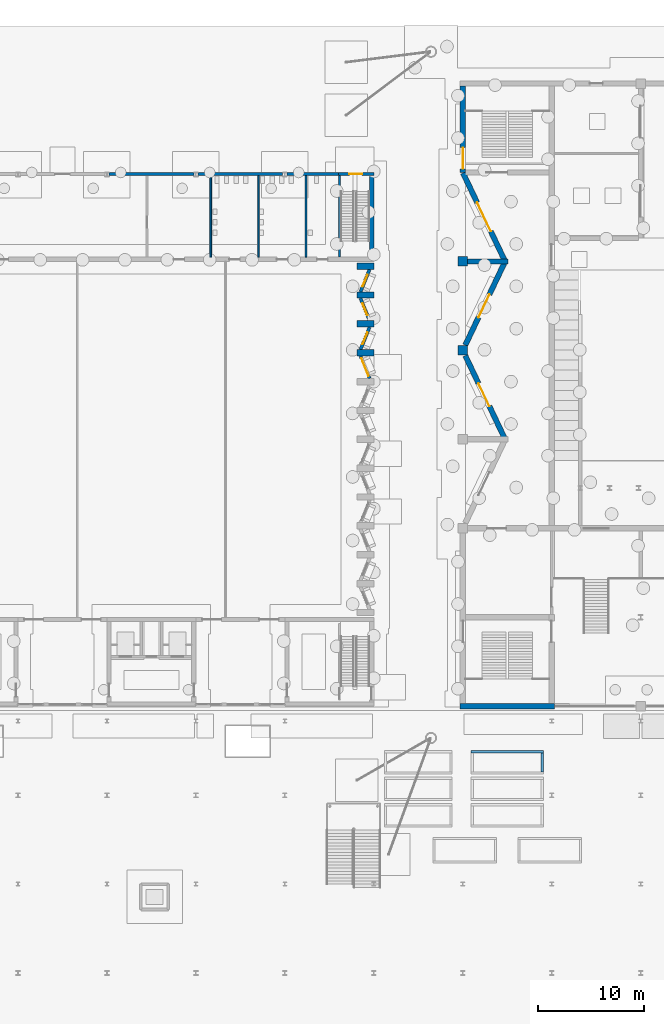
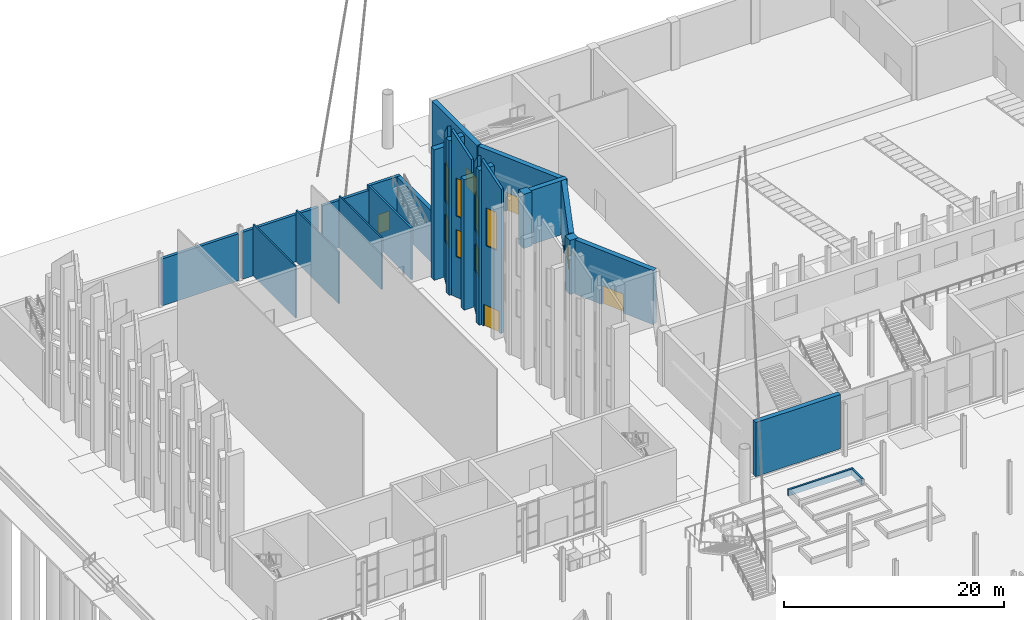
# One storey, part 65 of 108: 27 walls, 7 windows, 6 doors, 13 openings.
"""IFC4 building model written with IfcOpenShell, lengths in metres."""

from ifc_helpers import new_model, si_unit, direction, frame, frame_2d, origin, place, context, subcontext, project, spatial, polyline, rectangle, outline, extrude, material, layer, layer_set, type_object, element, fill, save


model = new_model("IFC4")

# Units and contexts
model_context = context("Model", 3, precision=1e-05, world=origin(), true_north=direction((0.0, 1.0)))
body_context = subcontext(model_context, "Body", "Model", "MODEL_VIEW")
ifc_project = project(units=[si_unit("LENGTHUNIT", "METRE"), si_unit("AREAUNIT", "SQUARE_METRE"), si_unit("VOLUMEUNIT", "CUBIC_METRE"), si_unit("PLANEANGLEUNIT", "RADIAN"), si_unit("MASSUNIT", "GRAM", prefix="KILO")], contexts=[model_context])

# Site, building, storey
site_placement = place(None, origin())
site = spatial("IfcSite", under=ifc_project, at=site_placement, CompositionType="ELEMENT")
building_placement = place(site_placement, origin())
building = spatial("IfcBuilding", under=site, at=building_placement, Name="Cresset Court Congress Hotel", CompositionType="ELEMENT")
storey_placement = place(building_placement, origin())
storey = spatial("IfcBuildingStorey", under=building, at=storey_placement, Name="L00", CompositionType="ELEMENT", Elevation=0.0)

# Walls
ifc_material_1 = material(Name="Gypsum board on steel studs", Category="steel")
ifc_layer_1 = layer(ifc_material_1, 0.14990234375)
ifc_layer_set_1 = layer_set([ifc_layer_1], Name="Fire partition 150")
wall_type_1 = type_object("IfcWallType", Name="Fire partition 150", PredefinedType="PARTITIONING", material=ifc_layer_set_1)
for number, where, z_axis, x_axis, name in (
    (1, (35.0, 101.199951171875, 0.0), (0.0, 0.0, 1.0), (0.0, 1.0, 0.0), "Partition 35"),
    (2, (39.5, 101.199951171875, 0.0), (0.0, 0.0, 1.0), (0.0, 1.0, 0.0), "Partition 39.5"),
    (3, (44.0, 101.199951171875, 0.0), (0.0, 0.0, 1.0), (0.0, 1.0, 0.0), "Partition 44"),
):
    element("IfcWall", number, at=place(storey_placement, frame(where, z_axis=z_axis, x_axis=x_axis)), inside=storey, type_object=wall_type_1, Name=name, PredefinedType="PARTITIONING", context=body_context, shape_type="SweptSolid", body=[
        extrude(rectangle(XDim=7.699951171875, YDim=0.14990234375, at=frame_2d((3.85009765625, 0.0))), origin(), (0.0, 0.0, 1.0), 5.719970703125),
    ])
ifc_material_2 = material(Name="Limestone-faced precast concrete C50", Category="masonry")
ifc_layer_2 = layer(ifc_material_2, 0.5)
ifc_layer_set_2 = layer_set([ifc_layer_2], Name="Hall perimeter wall 500")
wall_type_2 = type_object("IfcWallType", Name="Hall perimeter wall 500", PredefinedType="SOLIDWALL", material=ifc_layer_set_2)
wall_1_placement = place(storey_placement, frame((67.449951171875, 58.800048828125, 0.0), z_axis=(0.0, 0.0, 1.0), x_axis=(-1.0, 0.0, 0.0)))
element("IfcWall", 4, at=wall_1_placement, inside=storey, type_object=wall_type_2, Name="Wall CW-SL00-1", PredefinedType="SOLIDWALL", context=body_context, shape_type="SweptSolid", body=[
    extrude(rectangle(XDim=8.89990234375, YDim=0.5, at=frame_2d((4.449951171875, 0.0))), origin(), (0.0, 0.0, 1.0), 6.0),
])

# Wall, opening, door
wall_2_placement = place(storey_placement, frame((58.800048828125, 109.199951171875, 0.0), z_axis=(0.0, 0.0, 1.0), x_axis=(0.0, 1.0, 0.0)))
wall_2 = element("IfcWall", 5, at=wall_2_placement, inside=storey, type_object=wall_type_2, Name="Wall CW-WL00-1.1", PredefinedType="SOLIDWALL", context=body_context, shape_type="SweptSolid", body=[
    extrude(rectangle(XDim=8.150146484375, YDim=0.5, at=frame_2d((4.0751953125, 0.0))), origin(), (0.0, 0.0, 1.0), 6.0),
])
opening_1_placement = place(wall_2_placement, frame((0.35009765625, 0.0, 0.0)))
opening_1 = element("IfcOpeningElement", 6, at=opening_1_placement, cuts=wall_2, Name="Opening DC-00-12A", PredefinedType="OPENING", context=body_context, shape_type="SweptSolid", body=[
    extrude(rectangle(XDim=2.0, YDim=2.10009765625, at=frame_2d((1.0, 1.050048828125))), frame((0.0, 0.260009765625, 0.0), z_axis=(0.0, -1.0, 0.0), x_axis=(1.0, 0.0, 0.0)), (0.0, 0.0, 1.0), 0.52001953125),
])
ifc_material_3 = material(Name="Timber", Category="wood")
door_type_1 = type_object("IfcDoorType", Name="Double swing door 2000x2100 FD60 external", OperationType="DOUBLE_DOOR_DOUBLE_SWING", PredefinedType="DOOR", material=ifc_material_3)
door_1_placement = place(opening_1_placement, origin())
door_1 = element("IfcDoor", 7, at=door_1_placement, inside=storey, type_object=door_type_1, Name="Stair exit door ST-C3", OperationType="DOUBLE_DOOR_DOUBLE_SWING", OverallHeight=2.10009765625, OverallWidth=2.0, PredefinedType="DOOR", context=body_context, shape_type="SweptSolid", body=[
    extrude(rectangle(XDim=2.0, YDim=2.10009765625, at=frame_2d((1.0, 1.050048828125))), frame((0.0, 0.02490234375, 0.0), z_axis=(0.0, -1.0, 0.0), x_axis=(1.0, 0.0, 0.0)), (0.0, 0.0, 1.0), 0.050048828125),
])
fill(opening_1, door_1)

wall_3_placement = place(storey_placement, frame((62.734619140625, 100.9375, 0.0), z_axis=(0.0, 0.0, 1.0), x_axis=(-0.429953375566, 0.902851092284, 0.0)))
wall_3 = element("IfcWall", 8, at=wall_3_placement, inside=storey, type_object=wall_type_2, Name="Wall CW-WL00-1.2", PredefinedType="SOLIDWALL", context=body_context, shape_type="SweptSolid", body=[
    extrude(rectangle(XDim=9.09619140625, YDim=0.5, at=frame_2d((4.548095703125, 0.0))), origin(), (0.0, 0.0, 1.0), 6.0),
])
opening_2_placement = place(wall_3_placement, frame((2.99951171875, 0.0, 0.0)))
opening_2 = element("IfcOpeningElement", 9, at=opening_2_placement, cuts=wall_3, Name="Opening DC-00-36", PredefinedType="OPENING", context=body_context, shape_type="SweptSolid", body=[
    extrude(rectangle(XDim=3.0, YDim=2.10009765625, at=frame_2d((1.5, 1.050048828125))), frame((0.0, 0.260009765625, 0.0), z_axis=(0.0, -1.0, 0.0), x_axis=(1.0, 0.0, 0.0)), (0.0, 0.0, 1.0), 0.52001953125),
])
ifc_material_4 = material(Name="Timber", Category="wood")
door_type_2 = type_object("IfcDoorType", Name="Double swing door 3000x2100 FD30", OperationType="DOUBLE_DOOR_DOUBLE_SWING", PredefinedType="DOOR", material=ifc_material_4)
door_2_placement = place(opening_2_placement, origin())
door_2 = element("IfcDoor", 10, at=door_2_placement, inside=storey, type_object=door_type_2, Name="Hall exit door W4", OperationType="DOUBLE_DOOR_DOUBLE_SWING", OverallHeight=2.10009765625, OverallWidth=3.0, PredefinedType="DOOR", context=body_context, shape_type="SweptSolid", body=[
    extrude(rectangle(XDim=3.0, YDim=2.10009765625, at=frame_2d((1.5, 1.050048828125))), frame((0.0, 0.02490234375, 0.0), z_axis=(0.0, -1.0, 0.0), x_axis=(1.0, 0.0, 0.0)), (0.0, 0.0, 1.0), 0.050048828125),
])
fill(opening_2, door_2)

wall_4_placement = place(storey_placement, frame((59.0380859375, 92.89990234375, 0.0), z_axis=(0.0, 0.0, 1.0), x_axis=(0.429934682616, 0.902859993955, 0.0)))
wall_4 = element("IfcWall", 11, at=wall_4_placement, inside=storey, type_object=wall_type_2, Name="Wall CW-WL00-2", PredefinedType="SOLIDWALL", context=body_context, shape_type="SweptSolid", body=[
    extrude(rectangle(XDim=8.597900390625, YDim=0.5, at=frame_2d((4.298828125, 0.0))), origin(), (0.0, 0.0, 1.0), 6.0),
])
opening_3_placement = place(wall_4_placement, frame((2.898193359375, 0.0, 0.0)))
opening_3 = element("IfcOpeningElement", 12, at=opening_3_placement, cuts=wall_4, Name="Opening DC-00-32A", PredefinedType="OPENING", context=body_context, shape_type="SweptSolid", body=[
    extrude(rectangle(XDim=2.39990234375, YDim=2.10009765625, at=frame_2d((1.199951171875, 1.050048828125))), frame((0.0, 0.260009765625, 0.0), z_axis=(0.0, -1.0, 0.0), x_axis=(1.0, 0.0, 0.0)), (0.0, 0.0, 1.0), 0.52001953125),
])
ifc_material_5 = material(Name="Timber", Category="wood")
door_type_3 = type_object("IfcDoorType", Name="Double swing door 2400x2100 FD30 external", OperationType="DOUBLE_DOOR_DOUBLE_SWING", PredefinedType="DOOR", material=ifc_material_5)
door_3_placement = place(opening_3_placement, origin())
door_3 = element("IfcDoor", 13, at=door_3_placement, inside=storey, type_object=door_type_3, Name="Hall exit door W3", OperationType="DOUBLE_DOOR_DOUBLE_SWING", OverallHeight=2.10009765625, OverallWidth=2.39990234375, PredefinedType="DOOR", context=body_context, shape_type="SweptSolid", body=[
    extrude(rectangle(XDim=2.39990234375, YDim=2.10009765625, at=frame_2d((1.199951171875, 1.050048828125))), frame((0.0, 0.02490234375, 0.0), z_axis=(0.0, -1.0, 0.0), x_axis=(1.0, 0.0, 0.0)), (0.0, 0.0, 1.0), 0.050048828125),
])
fill(opening_3, door_3)

wall_5_placement = place(storey_placement, frame((62.734619140625, 84.137451171875, 0.0), z_axis=(0.0, 0.0, 1.0), x_axis=(-0.429945705131, 0.902854745039, 0.0)))
wall_5 = element("IfcWall", 14, at=wall_5_placement, inside=storey, type_object=wall_type_2, Name="Wall CW-WL00-3", PredefinedType="SOLIDWALL", context=body_context, shape_type="SweptSolid", body=[
    extrude(rectangle(XDim=8.59765625, YDim=0.5, at=frame_2d((4.298828125, 0.0))), origin(), (0.0, 0.0, 1.0), 6.0),
])
opening_4_placement = place(wall_5_placement, frame((3.299560546875, 0.0, 0.0)))
opening_4 = element("IfcOpeningElement", 15, at=opening_4_placement, cuts=wall_5, Name="Opening DC-00-31A", PredefinedType="OPENING", context=body_context, shape_type="SweptSolid", body=[
    extrude(rectangle(XDim=2.39990234375, YDim=2.10009765625, at=frame_2d((1.199951171875, 1.050048828125))), frame((0.0, 0.260009765625, 0.0), z_axis=(0.0, -1.0, 0.0), x_axis=(1.0, 0.0, 0.0)), (0.0, 0.0, 1.0), 0.52001953125),
])
door_4_placement = place(opening_4_placement, origin())
door_4 = element("IfcDoor", 16, at=door_4_placement, inside=storey, type_object=door_type_3, Name="Hall exit door W2", OperationType="DOUBLE_DOOR_DOUBLE_SWING", OverallHeight=2.10009765625, OverallWidth=2.39990234375, PredefinedType="DOOR", context=body_context, shape_type="SweptSolid", body=[
    extrude(rectangle(XDim=2.39990234375, YDim=2.10009765625, at=frame_2d((1.199951171875, 1.050048828125))), frame((0.0, 0.02490234375, 0.0), z_axis=(0.0, -1.0, 0.0), x_axis=(1.0, 0.0, 0.0)), (0.0, 0.0, 1.0), 0.050048828125),
])
fill(opening_4, door_4)

# Walls
wall_6_placement = place(storey_placement, frame((63.050048828125, 100.800048828125, 0.0), z_axis=(0.0, 0.0, 1.0), x_axis=(-1.0, 0.0, 0.0)))
element("IfcWall", 17, at=wall_6_placement, inside=storey, type_object=wall_type_2, Name="Wall CW-WL00-R1", PredefinedType="SOLIDWALL", context=body_context, shape_type="SweptSolid", body=[
    extrude(rectangle(XDim=3.800048828125, YDim=0.5, at=frame_2d((1.89990234375, 0.0))), origin(), (0.0, 0.0, 1.0), 6.0),
])
ifc_material_6 = material(Name="Concrete C50", Category="concrete")
ifc_layer_3 = layer(ifc_material_6, 0.89990234375)
ifc_layer_set_3 = layer_set([ifc_layer_3], Name="Hall pilaster 900x900")
wall_type_3 = type_object("IfcWallType", Name="Hall pilaster 900x900", PredefinedType="SOLIDWALL", material=ifc_layer_set_3)
wall_7_placement = place(storey_placement, frame((58.800048828125, 101.25, 0.0), z_axis=(0.0, 0.0, 1.0), x_axis=(0.0, -1.0, 0.0)))
element("IfcWall", 18, at=wall_7_placement, inside=storey, type_object=wall_type_3, Name="Pilaster P-W1", PredefinedType="SOLIDWALL", context=body_context, shape_type="SweptSolid", body=[
    extrude(rectangle(XDim=0.89990234375, YDim=0.89990234375, at=frame_2d((0.449951171875, 0.0))), origin(), (0.0, 0.0, 1.0), 6.0),
])
wall_8_placement = place(storey_placement, frame((58.800048828125, 92.85009765625, 0.0), z_axis=(0.0, 0.0, 1.0), x_axis=(0.0, -1.0, 0.0)))
element("IfcWall", 19, at=wall_8_placement, inside=storey, type_object=wall_type_3, Name="Pilaster P-W2", PredefinedType="SOLIDWALL", context=body_context, shape_type="SweptSolid", body=[
    extrude(rectangle(XDim=0.900146484375, YDim=0.89990234375, at=frame_2d((0.4501953125, 0.0))), origin(), (0.0, 0.0, 1.0), 6.0),
])
ifc_material_7 = material(Name="Concrete C35", Category="concrete")
ifc_layer_4 = layer(ifc_material_7, 0.199951171875)
ifc_layer_set_4 = layer_set([ifc_layer_4], Name="Planter wall 200")
wall_type_4 = type_object("IfcWallType", Name="Planter wall 200", PredefinedType="SOLIDWALL", material=ifc_layer_set_4)
wall_9_placement = place(storey_placement, frame((59.60009765625, 54.5, 0.0), z_axis=(0.0, 0.0, 1.0), x_axis=(1.0, 0.0, 0.0)))
element("IfcWall", 20, at=wall_9_placement, inside=storey, type_object=wall_type_4, Name="Terrace planter wall 06", PredefinedType="SOLIDWALL", context=body_context, shape_type="SweptSolid", body=[
    extrude(rectangle(XDim=6.7998046875, YDim=0.199951171875, at=frame_2d((3.39990234375, 0.0))), origin(), (0.0, 0.0, 1.0), 0.699951171875),
])
wall_10_placement = place(storey_placement, frame((66.300048828125, 52.60009765625, 0.0), z_axis=(0.0, 0.0, 1.0), x_axis=(0.0, 1.0, 0.0)))
element("IfcWall", 21, at=wall_10_placement, inside=storey, type_object=wall_type_4, Name="Terrace planter wall 06", PredefinedType="SOLIDWALL", context=body_context, shape_type="SweptSolid", body=[
    extrude(rectangle(XDim=1.7998046875, YDim=0.199951171875, at=frame_2d((0.89990234375, 0.0))), origin(), (0.0, 0.0, 1.0), 0.699951171875),
])
ifc_material_8 = material(Name="Precast concrete C50", Category="concrete")
ifc_layer_5 = layer(ifc_material_8, 0.300048828125)
ifc_layer_set_5 = layer_set([ifc_layer_5], Name="Precast external wall 300 C50")
wall_type_5 = type_object("IfcWallType", Name="Precast external wall 300 C50", PredefinedType="SOLIDWALL", material=ifc_layer_set_5)
for number, where, z_axis, x_axis, name in (
    (22, (25.39990234375, 109.050048828125, 0.0), (0.0, 0.0, 1.0), (1.0, 0.0, 0.0), "North external wall L00 4"),
    (23, (33.800048828125, 109.050048828125, 0.0), (0.0, 0.0, 1.0), (1.0, 0.0, 0.0), "North external wall L00 5"),
):
    element("IfcWall", number, at=place(storey_placement, frame(where, z_axis=z_axis, x_axis=x_axis)), inside=storey, type_object=wall_type_5, Name=name, PredefinedType="SOLIDWALL", context=body_context, shape_type="SweptSolid", body=[
        extrude(rectangle(XDim=8.0, YDim=0.300048828125, at=frame_2d((4.0, 0.0))), origin(), (0.0, 0.0, 1.0), 5.219970703125),
    ])
wall_11_placement = place(storey_placement, frame((42.199951171875, 109.050048828125, 0.0), z_axis=(0.0, 0.0, 1.0), x_axis=(1.0, 0.0, 0.0)))
element("IfcWall", 24, at=wall_11_placement, inside=storey, type_object=wall_type_5, Name="North external wall L00 6", PredefinedType="SOLIDWALL", context=body_context, shape_type="SweptSolid", body=[
    extrude(rectangle(XDim=4.85009765625, YDim=0.300048828125, at=frame_2d((2.425048828125, 0.0))), origin(), (0.0, 0.0, 1.0), 5.219970703125),
])

# Wall, opening, door
wall_12_placement = place(storey_placement, frame((47.050048828125, 109.050048828125, 0.0), z_axis=(0.0, 0.0, 1.0), x_axis=(1.0, 0.0, 0.0)))
wall_12 = element("IfcWall", 25, at=wall_12_placement, inside=storey, type_object=wall_type_5, Name="North external wall L00 7", PredefinedType="SOLIDWALL", context=body_context, shape_type="SweptSolid", body=[
    extrude(rectangle(XDim=3.349853515625, YDim=0.300048828125, at=frame_2d((1.6748046875, 0.0))), origin(), (0.0, 0.0, 1.0), 5.719970703125),
])
opening_5_placement = place(wall_12_placement, frame((1.050048828125, 0.0, 0.0)))
opening_5 = element("IfcOpeningElement", 26, at=opening_5_placement, cuts=wall_12, Name="Opening DD-00-05", PredefinedType="OPENING", context=body_context, shape_type="SweptSolid", body=[
    extrude(rectangle(XDim=1.199951171875, YDim=2.10009765625, at=frame_2d((0.60009765625, 1.050048828125))), frame((0.0, 0.159912109375, 0.0), z_axis=(0.0, -1.0, 0.0), x_axis=(1.0, 0.0, 0.0)), (0.0, 0.0, 1.0), 0.320068359375),
])
ifc_material_9 = material(Name="Timber door leaf", Category="wood")
door_type_4 = type_object("IfcDoorType", Name="Exit door 1200x2100", OperationType="SINGLE_SWING_LEFT", PredefinedType="DOOR", material=ifc_material_9)
door_5_placement = place(opening_5_placement, origin())
door_5 = element("IfcDoor", 27, at=door_5_placement, inside=storey, type_object=door_type_4, Name="Exit door DD-00-05", OperationType="SINGLE_SWING_LEFT", OverallHeight=2.10009765625, OverallWidth=1.199951171875, PredefinedType="DOOR", context=body_context, shape_type="SweptSolid", body=[
    extrude(rectangle(XDim=1.199951171875, YDim=2.10009765625, at=frame_2d((0.60009765625, 1.050048828125))), frame((0.0, 0.02490234375, 0.0), z_axis=(0.0, -1.0, 0.0), x_axis=(1.0, 0.0, 0.0)), (0.0, 0.0, 1.0), 0.050048828125),
])
fill(opening_5, door_5)

# Wall, openings, door, window
ifc_material_10 = material(Name="Limestone-faced precast concrete C50", Category="masonry")
ifc_layer_6 = layer(ifc_material_10, 0.300048828125)
ifc_layer_set_6 = layer_set([ifc_layer_6], Name="Precast folded wall panel 300 C50")
wall_type_6 = type_object("IfcWallType", Name="Precast folded wall panel 300 C50", PredefinedType="SOLIDWALL", material=ifc_layer_set_6)
wall_13_placement = place(storey_placement, frame((50.0, 89.75, 0.0), z_axis=(0.0, 0.0, 1.0), x_axis=(-0.37463916886, 0.927170692567, 0.0)))
wall_13 = element("IfcWall", 28, at=wall_13_placement, inside=storey, type_object=wall_type_6, Name="Folded wall panel E9", PredefinedType="SOLIDWALL", context=body_context, shape_type="SweptSolid", body=[
    extrude(outline(polyline([(0.0, 0.0), (2.2919921875, 0.0), (2.2919921875, 18.312255859375), (0.0, 15.972900390625), (0.0, 0.0)])), frame((0.0, 0.14990234375, 0.0), z_axis=(0.0, -1.0, 0.0), x_axis=(1.0, 0.0, 0.0)), (0.0, 0.0, 1.0), 0.300048828125),
])
opening_6_placement = place(wall_13_placement, frame((0.24609375, 0.0, 0.0)))
opening_6 = element("IfcOpeningElement", 29, at=opening_6_placement, cuts=wall_13, Name="Opening DD-00-13", PredefinedType="OPENING", context=body_context, shape_type="SweptSolid", body=[
    extrude(rectangle(XDim=1.800048828125, YDim=2.39990234375, at=frame_2d((0.89990234375, 1.199951171875))), frame((0.0, 0.159912109375, 0.0), z_axis=(0.0, -1.0, 0.0), x_axis=(1.0, 0.0, 0.0)), (0.0, 0.0, 1.0), 0.320068359375),
])
opening_7_placement = place(wall_13_placement, frame((0.5458984375, 0.0, 9.0)))
opening_7 = element("IfcOpeningElement", 30, at=opening_7_placement, cuts=wall_13, Name="Opening ND-00-37", PredefinedType="OPENING", context=body_context, shape_type="SweptSolid", body=[
    extrude(rectangle(XDim=1.199951171875, YDim=4.199951171875, at=frame_2d((0.60009765625, 2.10009765625))), frame((0.0, 0.159912109375, 0.0), z_axis=(0.0, -1.0, 0.0), x_axis=(1.0, 0.0, 0.0)), (0.0, 0.0, 1.0), 0.320068359375),
])
ifc_material_11 = material(Name="Timber door leaf", Category="wood")
door_type_5 = type_object("IfcDoorType", Name="Hall exit double door 1800x2400", OperationType="DOUBLE_DOOR_SINGLE_SWING", PredefinedType="DOOR", material=ifc_material_11)
door_6_placement = place(opening_6_placement, origin())
door_6 = element("IfcDoor", 31, at=door_6_placement, inside=storey, type_object=door_type_5, Name="Hall exit double door DD-00-13", OperationType="DOUBLE_DOOR_SINGLE_SWING", OverallHeight=2.39990234375, OverallWidth=1.800048828125, PredefinedType="DOOR", context=body_context, shape_type="SweptSolid", body=[
    extrude(rectangle(XDim=1.800048828125, YDim=2.39990234375, at=frame_2d((0.89990234375, 1.199951171875))), frame((0.0, 0.02490234375, 0.0), z_axis=(0.0, -1.0, 0.0), x_axis=(1.0, 0.0, 0.0)), (0.0, 0.0, 1.0), 0.050048828125),
])
fill(opening_6, door_6)
ifc_material_12 = material(Name="Aluminium frame with double glazing", Category="aluminium")
window_type_1 = type_object("IfcWindowType", Name="Window 1200x4200", PartitioningType="TRIPLE_PANEL_VERTICAL", PredefinedType="WINDOW", material=ifc_material_12)
window_1_placement = place(opening_7_placement, origin())
window_1 = element("IfcWindow", 32, at=window_1_placement, inside=storey, type_object=window_type_1, Name="Window ND-00-37", OverallHeight=4.199951171875, OverallWidth=1.199951171875, PartitioningType="TRIPLE_PANEL_VERTICAL", PredefinedType="WINDOW", context=body_context, shape_type="SweptSolid", body=[
    extrude(rectangle(XDim=1.199951171875, YDim=4.199951171875, at=frame_2d((0.60009765625, 2.10009765625))), frame((0.0, 0.030029296875, 0.0), z_axis=(0.0, -1.0, 0.0), x_axis=(1.0, 0.0, 0.0)), (0.0, 0.0, 1.0), 0.06005859375),
])
fill(opening_7, window_1)

# Wall, openings, windows
wall_14_placement = place(storey_placement, frame((49.141357421875, 92.47509765625, 0.0), z_axis=(0.0, 0.0, 1.0), x_axis=(0.37463916886, 0.927170692567, 0.0)))
wall_14 = element("IfcWall", 33, at=wall_14_placement, inside=storey, type_object=wall_type_6, Name="Folded wall panel E10", PredefinedType="SOLIDWALL", context=body_context, shape_type="SweptSolid", body=[
    extrude(outline(polyline([(0.0, 0.0), (2.2919921875, 0.0), (2.2919921875, 15.972900390625), (0.0, 18.312255859375), (0.0, 0.0)])), frame((0.0, 0.14990234375, 0.0), z_axis=(0.0, -1.0, 0.0), x_axis=(1.0, 0.0, 0.0)), (0.0, 0.0, 1.0), 0.300048828125),
])
opening_8_placement = place(wall_14_placement, frame((0.5458984375, 0.0, 4.5)))
opening_8 = element("IfcOpeningElement", 34, at=opening_8_placement, cuts=wall_14, Name="Opening ND-00-38", PredefinedType="OPENING", context=body_context, shape_type="SweptSolid", body=[
    extrude(rectangle(XDim=1.199951171875, YDim=3.0, at=frame_2d((0.60009765625, 1.5))), frame((0.0, 0.159912109375, 0.0), z_axis=(0.0, -1.0, 0.0), x_axis=(1.0, 0.0, 0.0)), (0.0, 0.0, 1.0), 0.320068359375),
])
opening_9_placement = place(wall_14_placement, frame((0.5458984375, 0.0, 9.0)))
opening_9 = element("IfcOpeningElement", 35, at=opening_9_placement, cuts=wall_14, Name="Opening ND-00-39", PredefinedType="OPENING", context=body_context, shape_type="SweptSolid", body=[
    extrude(rectangle(XDim=1.199951171875, YDim=4.199951171875, at=frame_2d((0.60009765625, 2.10009765625))), frame((0.0, 0.159912109375, 0.0), z_axis=(0.0, -1.0, 0.0), x_axis=(1.0, 0.0, 0.0)), (0.0, 0.0, 1.0), 0.320068359375),
])
ifc_material_13 = material(Name="Aluminium frame with double glazing", Category="aluminium")
window_type_2 = type_object("IfcWindowType", Name="Window 1200x3000", PartitioningType="TRIPLE_PANEL_VERTICAL", PredefinedType="WINDOW", material=ifc_material_13)
window_2_placement = place(opening_8_placement, origin())
window_2 = element("IfcWindow", 36, at=window_2_placement, inside=storey, type_object=window_type_2, Name="Window ND-00-38", OverallHeight=3.0, OverallWidth=1.199951171875, PartitioningType="TRIPLE_PANEL_VERTICAL", PredefinedType="WINDOW", context=body_context, shape_type="SweptSolid", body=[
    extrude(rectangle(XDim=1.199951171875, YDim=3.0, at=frame_2d((0.60009765625, 1.5))), frame((0.0, 0.030029296875, 0.0), z_axis=(0.0, -1.0, 0.0), x_axis=(1.0, 0.0, 0.0)), (0.0, 0.0, 1.0), 0.06005859375),
])
fill(opening_8, window_2)
window_3_placement = place(opening_9_placement, origin())
window_3 = element("IfcWindow", 37, at=window_3_placement, inside=storey, type_object=window_type_1, Name="Window ND-00-39", OverallHeight=4.199951171875, OverallWidth=1.199951171875, PartitioningType="TRIPLE_PANEL_VERTICAL", PredefinedType="WINDOW", context=body_context, shape_type="SweptSolid", body=[
    extrude(rectangle(XDim=1.199951171875, YDim=4.199951171875, at=frame_2d((0.60009765625, 2.10009765625))), frame((0.0, 0.030029296875, 0.0), z_axis=(0.0, -1.0, 0.0), x_axis=(1.0, 0.0, 0.0)), (0.0, 0.0, 1.0), 0.06005859375),
])
fill(opening_9, window_3)

wall_15_placement = place(storey_placement, frame((50.0, 95.199951171875, 0.0), z_axis=(0.0, 0.0, 1.0), x_axis=(-0.37463916886, 0.927170692567, 0.0)))
wall_15 = element("IfcWall", 38, at=wall_15_placement, inside=storey, type_object=wall_type_6, Name="Folded wall panel E11", PredefinedType="SOLIDWALL", context=body_context, shape_type="SweptSolid", body=[
    extrude(outline(polyline([(0.0, 0.0), (2.2919921875, 0.0), (2.2919921875, 18.312255859375), (0.0, 15.972900390625), (0.0, 0.0)])), frame((0.0, 0.14990234375, 0.0), z_axis=(0.0, -1.0, 0.0), x_axis=(1.0, 0.0, 0.0)), (0.0, 0.0, 1.0), 0.300048828125),
])
opening_10_placement = place(wall_15_placement, frame((0.5458984375, 0.0, 4.5)))
opening_10 = element("IfcOpeningElement", 39, at=opening_10_placement, cuts=wall_15, Name="Opening ND-00-40", PredefinedType="OPENING", context=body_context, shape_type="SweptSolid", body=[
    extrude(rectangle(XDim=1.199951171875, YDim=3.0, at=frame_2d((0.60009765625, 1.5))), frame((0.0, 0.159912109375, 0.0), z_axis=(0.0, -1.0, 0.0), x_axis=(1.0, 0.0, 0.0)), (0.0, 0.0, 1.0), 0.320068359375),
])
opening_11_placement = place(wall_15_placement, frame((0.5458984375, 0.0, 9.0)))
opening_11 = element("IfcOpeningElement", 40, at=opening_11_placement, cuts=wall_15, Name="Opening ND-00-41", PredefinedType="OPENING", context=body_context, shape_type="SweptSolid", body=[
    extrude(rectangle(XDim=1.199951171875, YDim=4.199951171875, at=frame_2d((0.60009765625, 2.10009765625))), frame((0.0, 0.159912109375, 0.0), z_axis=(0.0, -1.0, 0.0), x_axis=(1.0, 0.0, 0.0)), (0.0, 0.0, 1.0), 0.320068359375),
])
window_4_placement = place(opening_10_placement, origin())
window_4 = element("IfcWindow", 41, at=window_4_placement, inside=storey, type_object=window_type_2, Name="Window ND-00-40", OverallHeight=3.0, OverallWidth=1.199951171875, PartitioningType="TRIPLE_PANEL_VERTICAL", PredefinedType="WINDOW", context=body_context, shape_type="SweptSolid", body=[
    extrude(rectangle(XDim=1.199951171875, YDim=3.0, at=frame_2d((0.60009765625, 1.5))), frame((0.0, 0.030029296875, 0.0), z_axis=(0.0, -1.0, 0.0), x_axis=(1.0, 0.0, 0.0)), (0.0, 0.0, 1.0), 0.06005859375),
])
fill(opening_10, window_4)
window_5_placement = place(opening_11_placement, origin())
window_5 = element("IfcWindow", 42, at=window_5_placement, inside=storey, type_object=window_type_1, Name="Window ND-00-41", OverallHeight=4.199951171875, OverallWidth=1.199951171875, PartitioningType="TRIPLE_PANEL_VERTICAL", PredefinedType="WINDOW", context=body_context, shape_type="SweptSolid", body=[
    extrude(rectangle(XDim=1.199951171875, YDim=4.199951171875, at=frame_2d((0.60009765625, 2.10009765625))), frame((0.0, 0.030029296875, 0.0), z_axis=(0.0, -1.0, 0.0), x_axis=(1.0, 0.0, 0.0)), (0.0, 0.0, 1.0), 0.06005859375),
])
fill(opening_11, window_5)

wall_16_placement = place(storey_placement, frame((49.141357421875, 97.925048828125, 0.0), z_axis=(0.0, 0.0, 1.0), x_axis=(0.37463916886, 0.927170692567, 0.0)))
wall_16 = element("IfcWall", 43, at=wall_16_placement, inside=storey, type_object=wall_type_6, Name="Folded wall panel E12", PredefinedType="SOLIDWALL", context=body_context, shape_type="SweptSolid", body=[
    extrude(outline(polyline([(0.0, 0.0), (2.2919921875, 0.0), (2.2919921875, 15.972900390625), (0.0, 18.312255859375), (0.0, 0.0)])), frame((0.0, 0.14990234375, 0.0), z_axis=(0.0, -1.0, 0.0), x_axis=(1.0, 0.0, 0.0)), (0.0, 0.0, 1.0), 0.300048828125),
])
opening_12_placement = place(wall_16_placement, frame((0.5458984375, 0.0, 4.5)))
opening_12 = element("IfcOpeningElement", 44, at=opening_12_placement, cuts=wall_16, Name="Opening ND-00-42", PredefinedType="OPENING", context=body_context, shape_type="SweptSolid", body=[
    extrude(rectangle(XDim=1.199951171875, YDim=3.0, at=frame_2d((0.60009765625, 1.5))), frame((0.0, 0.159912109375, 0.0), z_axis=(0.0, -1.0, 0.0), x_axis=(1.0, 0.0, 0.0)), (0.0, 0.0, 1.0), 0.320068359375),
])
opening_13_placement = place(wall_16_placement, frame((0.5458984375, 0.0, 9.0)))
opening_13 = element("IfcOpeningElement", 45, at=opening_13_placement, cuts=wall_16, Name="Opening ND-00-43", PredefinedType="OPENING", context=body_context, shape_type="SweptSolid", body=[
    extrude(rectangle(XDim=1.199951171875, YDim=4.199951171875, at=frame_2d((0.60009765625, 2.10009765625))), frame((0.0, 0.159912109375, 0.0), z_axis=(0.0, -1.0, 0.0), x_axis=(1.0, 0.0, 0.0)), (0.0, 0.0, 1.0), 0.320068359375),
])
window_6_placement = place(opening_12_placement, origin())
window_6 = element("IfcWindow", 46, at=window_6_placement, inside=storey, type_object=window_type_2, Name="Window ND-00-42", OverallHeight=3.0, OverallWidth=1.199951171875, PartitioningType="TRIPLE_PANEL_VERTICAL", PredefinedType="WINDOW", context=body_context, shape_type="SweptSolid", body=[
    extrude(rectangle(XDim=1.199951171875, YDim=3.0, at=frame_2d((0.60009765625, 1.5))), frame((0.0, 0.030029296875, 0.0), z_axis=(0.0, -1.0, 0.0), x_axis=(1.0, 0.0, 0.0)), (0.0, 0.0, 1.0), 0.06005859375),
])
fill(opening_12, window_6)
window_7_placement = place(opening_13_placement, origin())
window_7 = element("IfcWindow", 47, at=window_7_placement, inside=storey, type_object=window_type_1, Name="Window ND-00-43", OverallHeight=4.199951171875, OverallWidth=1.199951171875, PartitioningType="TRIPLE_PANEL_VERTICAL", PredefinedType="WINDOW", context=body_context, shape_type="SweptSolid", body=[
    extrude(rectangle(XDim=1.199951171875, YDim=4.199951171875, at=frame_2d((0.60009765625, 2.10009765625))), frame((0.0, 0.030029296875, 0.0), z_axis=(0.0, -1.0, 0.0), x_axis=(1.0, 0.0, 0.0)), (0.0, 0.0, 1.0), 0.06005859375),
])
fill(opening_13, window_7)

# Walls
ifc_material_14 = material(Name="Concrete C40", Category="concrete")
ifc_layer_7 = layer(ifc_material_14, 0.60009765625)
ifc_layer_set_7 = layer_set([ifc_layer_7], Name="RC buttress wall 600 C40")
wall_type_7 = type_object("IfcWallType", Name="RC buttress wall 600 C40", PredefinedType="SOLIDWALL", material=ifc_layer_set_7)
wall_17_placement = place(storey_placement, frame((50.39990234375, 92.175048828125, 0.0), z_axis=(0.0, 0.0, 1.0), x_axis=(-1.0, 0.0, 0.0)))
element("IfcWall", 48, at=wall_17_placement, inside=storey, type_object=wall_type_7, Name="Buttress E10", PredefinedType="SOLIDWALL", context=body_context, shape_type="SweptSolid", body=[
    extrude(rectangle(XDim=1.599853515625, YDim=0.60009765625, at=frame_2d((0.7998046875, 0.0))), origin(), (0.0, 0.0, 1.0), 17.136474609375),
])
wall_18_placement = place(storey_placement, frame((50.39990234375, 94.89990234375, 0.0), z_axis=(0.0, 0.0, 1.0), x_axis=(-1.0, 0.0, 0.0)))
element("IfcWall", 49, at=wall_18_placement, inside=storey, type_object=wall_type_7, Name="Buttress E11", PredefinedType="SOLIDWALL", context=body_context, shape_type="SweptSolid", body=[
    extrude(rectangle(XDim=1.599853515625, YDim=0.60009765625, at=frame_2d((0.7998046875, 0.0))), origin(), (0.0, 0.0, 1.0), 14.466796875),
])
wall_19_placement = place(storey_placement, frame((50.39990234375, 97.625, 0.0), z_axis=(0.0, 0.0, 1.0), x_axis=(-1.0, 0.0, 0.0)))
element("IfcWall", 50, at=wall_19_placement, inside=storey, type_object=wall_type_7, Name="Buttress E12", PredefinedType="SOLIDWALL", context=body_context, shape_type="SweptSolid", body=[
    extrude(rectangle(XDim=1.599853515625, YDim=0.60009765625, at=frame_2d((0.7998046875, 0.0))), origin(), (0.0, 0.0, 1.0), 17.136474609375),
])
wall_20_placement = place(storey_placement, frame((50.39990234375, 100.35009765625, 0.0), z_axis=(0.0, 0.0, 1.0), x_axis=(-1.0, 0.0, 0.0)))
element("IfcWall", 51, at=wall_20_placement, inside=storey, type_object=wall_type_7, Name="Buttress E13", PredefinedType="SOLIDWALL", context=body_context, shape_type="SweptSolid", body=[
    extrude(rectangle(XDim=1.599853515625, YDim=0.60009765625, at=frame_2d((0.7998046875, 0.0))), origin(), (0.0, 0.0, 1.0), 14.466796875),
])
ifc_material_15 = material(Name="Concrete C50", Category="concrete")
ifc_layer_8 = layer(ifc_material_15, 0.39990234375)
ifc_layer_set_8 = layer_set([ifc_layer_8], Name="RC core wall 400 C50 external")
wall_type_8 = type_object("IfcWallType", Name="RC core wall 400 C50 external", PredefinedType="SOLIDWALL", material=ifc_layer_set_8)
wall_21_placement = place(storey_placement, frame((50.199951171875, 101.199951171875, 0.0), z_axis=(0.0, 0.0, 1.0), x_axis=(0.0, 1.0, 0.0)))
element("IfcWall", 52, at=wall_21_placement, inside=storey, type_object=wall_type_8, Name="Service stair E outer wall", PredefinedType="SOLIDWALL", context=body_context, shape_type="SweptSolid", body=[
    extrude(rectangle(XDim=7.699951171875, YDim=0.39990234375, at=frame_2d((3.85009765625, 0.0))), origin(), (0.0, 0.0, 1.0), 5.719970703125),
])
ifc_material_16 = material(Name="Concrete C40", Category="concrete")
ifc_layer_9 = layer(ifc_material_16, 0.199951171875)
ifc_layer_set_9 = layer_set([ifc_layer_9], Name="RC stair enclosure wall 200 C40")
wall_type_9 = type_object("IfcWallType", Name="RC stair enclosure wall 200 C40", PredefinedType="SOLIDWALL", material=ifc_layer_set_9)
wall_22_placement = place(storey_placement, frame((47.14990234375, 101.199951171875, 0.0), z_axis=(0.0, 0.0, 1.0), x_axis=(0.0, 1.0, 0.0)))
element("IfcWall", 53, at=wall_22_placement, inside=storey, type_object=wall_type_9, Name="Service stair E inner wall", PredefinedType="SOLIDWALL", context=body_context, shape_type="SweptSolid", body=[
    extrude(rectangle(XDim=7.699951171875, YDim=0.199951171875, at=frame_2d((3.85009765625, 0.0))), origin(), (0.0, 0.0, 1.0), 5.719970703125),
])

save(model, "model.ifc")
